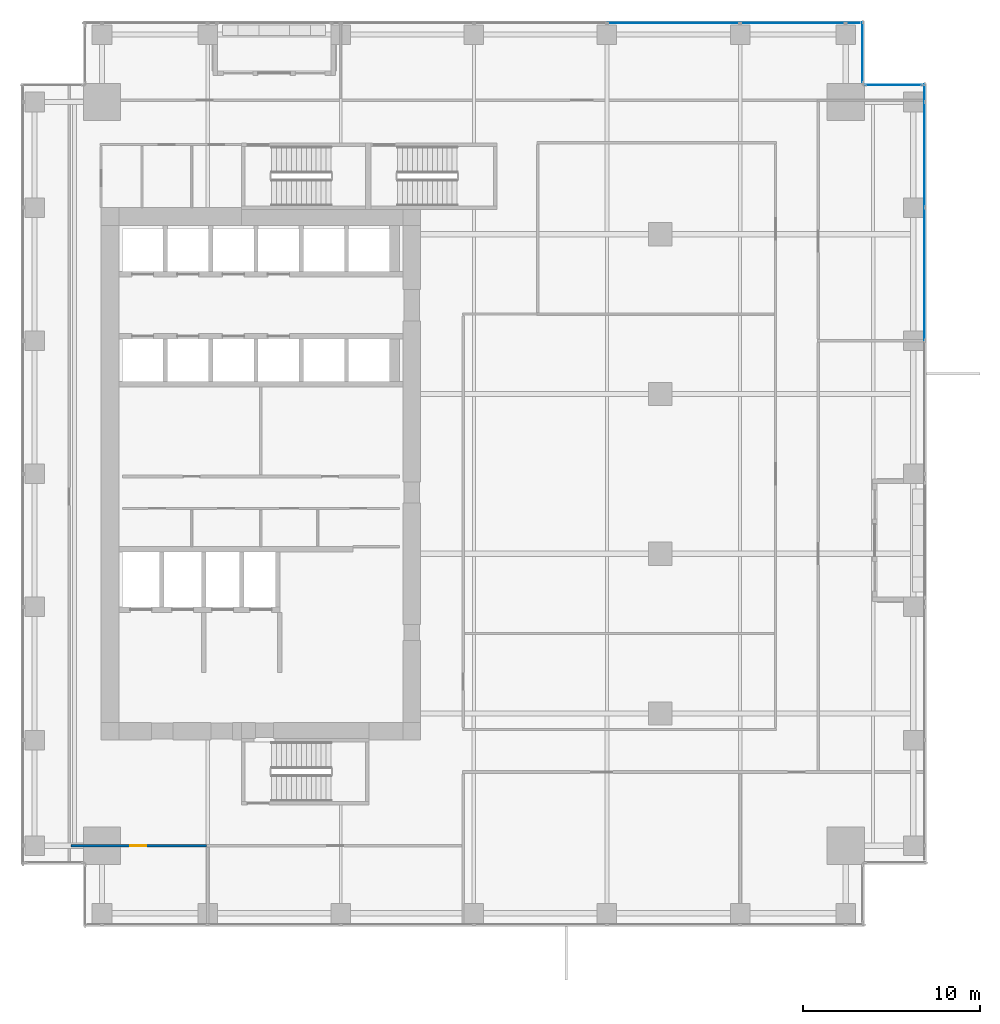
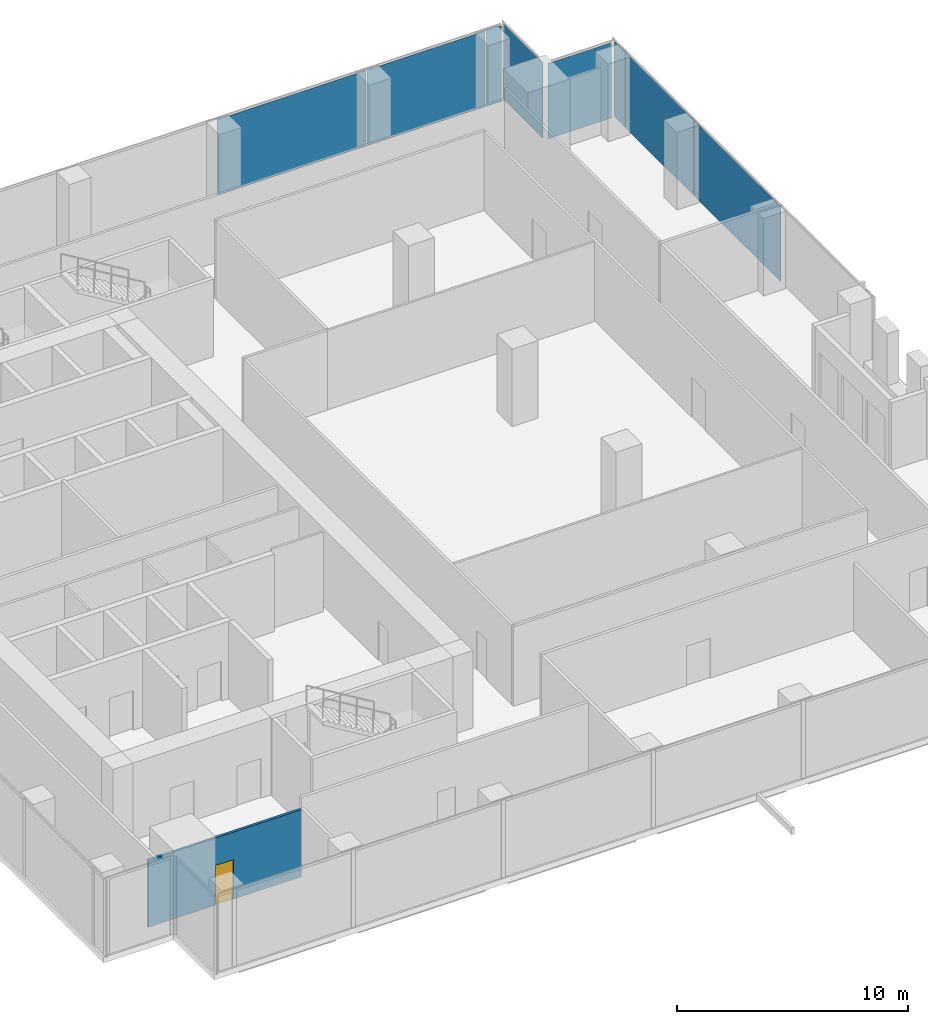
# One storey, part 27 of 34: 8 plates, 1 door, 1 wall, 1 opening, 4 elements without a shape of their own.
"""IFC4 building model written with IfcOpenShell, lengths in metres."""

import ifcopenshell
import ifcopenshell.guid

model = None  # the IFC model being written
_history = None  # IfcOwnerHistory: only IFC2X3 demands one
_inside = {}  # id of a spatial element -> (the spatial element, [elements in it])
_under = {}  # id of a project, library or spatial element -> (it, [spatial elements below it])
_declared = {}  # id of a project -> (the project, [libraries it declares])
_typed = {}  # id of a type object -> (the type object, [elements of that type])
_made_of = {}  # id of a material, layer set ... -> (it, [elements and type objects made of it])


def new_model(schema):
    """Start an empty IFC model of exactly this schema.

    Asked for "IFC4X3", IfcOpenShell would pick the latest addendum, in which some entities
    have other attributes; the version numbers below select the first issue.
    IFC2X3 requires an IfcOwnerHistory on every rooted entity: one is made here for all.
    """
    global model, _history
    if schema == "IFC4X3":
        model = ifcopenshell.file(schema_version=(4, 3, 0, 0))
    else:
        model = ifcopenshell.file(schema=schema)
    _inside.clear()
    _under.clear()
    _declared.clear()
    _typed.clear()
    _made_of.clear()
    _history = None
    if model.schema == "IFC2X3":
        org = make("IfcOrganization", Name="unknown")
        user = make(
            "IfcPersonAndOrganization",
            ThePerson=make("IfcPerson", FamilyName="unknown"),
            TheOrganization=org,
        )
        app = make(
            "IfcApplication",
            ApplicationDeveloper=org,
            Version="unknown",
            ApplicationFullName="unknown",
            ApplicationIdentifier="unknown",
        )
        _history = make(
            "IfcOwnerHistory",
            OwningUser=user,
            OwningApplication=app,
            ChangeAction="ADDED",
            CreationDate=0,
        )
    return model


def make(cls, **values):
    """One entity of the class cls with the attributes given. An attribute that is None is left unset."""
    return model.create_entity(
        cls, **{name: value for name, value in values.items() if value is not None}
    )


def rooted(cls, **values):
    """An entity with a GlobalId (a new one), such as an element, a storey or a relation."""
    return make(cls, GlobalId=ifcopenshell.guid.new(), OwnerHistory=_history, **values)


def si_unit(unit_type, name, prefix=None):
    """IfcSIUnit, for example si_unit("LENGTHUNIT", "METRE", prefix="MILLI")."""
    return make("IfcSIUnit", UnitType=unit_type, Prefix=prefix, Name=name)


def assignment(units):
    """IfcUnitAssignment: the units of a project."""
    return None if units is None else make("IfcUnitAssignment", Units=units)


def point(xyz):
    """IfcCartesianPoint."""
    return None if xyz is None else make("IfcCartesianPoint", Coordinates=xyz)


def direction(xyz):
    """IfcDirection."""
    return None if xyz is None else make("IfcDirection", DirectionRatios=xyz)


def frame(location, z_axis=None, x_axis=None):
    """IfcAxis2Placement3D, a coordinate frame: its origin and axes. An axis left out is left unset."""
    return make(
        "IfcAxis2Placement3D",
        Location=point(location),
        Axis=direction(z_axis),
        RefDirection=direction(x_axis),
    )


def frame_2d(location, x_axis=None):
    """IfcAxis2Placement2D, a coordinate frame in the plane: its origin and x axis."""
    return make(
        "IfcAxis2Placement2D", Location=point(location), RefDirection=direction(x_axis)
    )


def origin():
    """The frame at (0, 0, 0) with its axes left unset."""
    return frame((0.0, 0.0, 0.0))


def origin_2d():
    """The frame at (0, 0) in the plane with its x axis left unset."""
    return frame_2d((0.0, 0.0))


def place(relative_to, where):
    """IfcLocalPlacement: puts the frame where relative to a parent placement (None: the world)."""
    return make(
        "IfcLocalPlacement", PlacementRelTo=relative_to, RelativePlacement=where
    )


def context(
    kind, dimensions, precision=None, world=None, true_north=None, identifier=None
):
    """IfcGeometricRepresentationContext, for example the 3D "Model" context."""
    return make(
        "IfcGeometricRepresentationContext",
        ContextIdentifier=identifier,
        ContextType=kind,
        CoordinateSpaceDimension=dimensions,
        Precision=precision,
        WorldCoordinateSystem=world,
        TrueNorth=true_north,
    )


def subcontext(parent, identifier, kind, view, scale=None):
    """IfcGeometricRepresentationSubContext, for example "Body" below "Model"."""
    return make(
        "IfcGeometricRepresentationSubContext",
        ContextIdentifier=identifier,
        ContextType=kind,
        ParentContext=parent,
        TargetScale=scale,
        TargetView=view,
    )


def project(units=None, contexts=None):
    """IfcProject with its units and contexts."""
    return rooted(
        "IfcProject",
        Name="project",
        RepresentationContexts=contexts,
        UnitsInContext=assignment(units),
    )


def spatial(cls, under=None, at=None, **own):
    """A site, building, storey or space (cls), placed at a placement, below another one or the project."""
    s = rooted(cls, ObjectPlacement=at, **own)
    if under is not None:
        _under.setdefault(under.id(), (under, []))[1].append(s)
    return s


def profile(cls, at=None, kind="AREA", **sizes):
    """A parametric profile (cls). Its sizes go by their IFC names, for example OverallWidth=200.0."""
    return make(cls, ProfileType=kind, Position=at, **sizes)


def rectangle(**sizes):
    """IfcRectangleProfileDef."""
    return profile("IfcRectangleProfileDef", **sizes)


def extrude(swept, where, along, depth):
    """IfcExtrudedAreaSolid: the profile swept, set in the frame where, extruded along a direction by depth."""
    return make(
        "IfcExtrudedAreaSolid",
        SweptArea=swept,
        Position=where,
        ExtrudedDirection=direction(along),
        Depth=depth,
    )


def shape(context_of_items, identifier, shape_type, items):
    """IfcShapeRepresentation: the items that make up one representation, for example the "Body"."""
    return make(
        "IfcShapeRepresentation",
        ContextOfItems=context_of_items,
        RepresentationIdentifier=identifier,
        RepresentationType=shape_type,
        Items=items,
    )


def source(mapping_origin, context_of_items, identifier, shape_type, items):
    """IfcRepresentationMap: a shape defined once, which mapped items show again and again."""
    return make(
        "IfcRepresentationMap",
        MappingOrigin=mapping_origin,
        MappedRepresentation=shape(context_of_items, identifier, shape_type, items),
    )


def transform(
    local_origin,
    x_axis=None,
    y_axis=None,
    z_axis=None,
    scale=None,
    scale2=None,
    scale3=None,
    uniform=True,
):
    """IfcCartesianTransformationOperator3D, or its non-uniform kind. x_axis, y_axis, z_axis: its Axis1, 2, 3."""
    if uniform:
        return make(
            "IfcCartesianTransformationOperator3D",
            Axis1=direction(x_axis),
            Axis2=direction(y_axis),
            LocalOrigin=point(local_origin),
            Scale=scale,
            Axis3=direction(z_axis),
        )
    return make(
        "IfcCartesianTransformationOperator3DnonUniform",
        Axis1=direction(x_axis),
        Axis2=direction(y_axis),
        LocalOrigin=point(local_origin),
        Scale=scale,
        Axis3=direction(z_axis),
        Scale2=scale2,
        Scale3=scale3,
    )


def mapped(mapping_source, mapping_target):
    """IfcMappedItem: shows the shape of a source again, moved by a transform."""
    return make(
        "IfcMappedItem", MappingSource=mapping_source, MappingTarget=mapping_target
    )


def material(Name=None, Category=None):
    """IfcMaterial."""
    return make("IfcMaterial", Name=Name, Category=Category)


def layer(
    of_material, thickness, ventilated=None, Name=None, Category=None, Priority=None
):
    """IfcMaterialLayer: one layer of a wall or slab, of a material (None: an air gap)."""
    return make(
        "IfcMaterialLayer",
        Material=of_material,
        LayerThickness=thickness,
        IsVentilated=ventilated,
        Name=Name,
        Category=Category,
        Priority=Priority,
    )


def layer_set(layers, Name=None):
    """IfcMaterialLayerSet."""
    return make("IfcMaterialLayerSet", MaterialLayers=layers, LayerSetName=Name)


def made_of(thing, what):
    """Note that an element or type object is made of a material, layer set ...; save() writes the relation."""
    if what is not None:
        _made_of.setdefault(what.id(), (what, []))[1].append(thing)
    return thing


def type_object(cls, material=None, **own):
    """A type object (cls), such as IfcWallType, which elements share."""
    return made_of(rooted(cls, **own), material)


def element(
    cls,
    number,
    at=None,
    inside=None,
    cuts=None,
    type_object=None,
    material=None,
    context=None,
    identifier="Body",
    shape_type=None,
    held_by="IfcProductDefinitionShape",
    body=None,
    shapes=None,
    **own,
):
    """One element of the class cls, such as IfcWall. Its Tag is "e" and its number.

    at: its placement. inside: the storey or other place that contains it. cuts: it is an
    opening in that element (IfcRelVoidsElement). A single representation is given by context,
    identifier, shape_type and body (its items); several are given by shapes. held_by: the class
    of the entity that holds the representations. save() writes the other relations.
    """
    e = rooted(cls, Tag="e%d" % number, ObjectPlacement=at, **own)
    if body is not None:
        shapes = [shape(context, identifier, shape_type, body)]
    if shapes is not None:
        e.Representation = make(held_by, Representations=shapes)
    if inside is not None:
        _inside.setdefault(inside.id(), (inside, []))[1].append(e)
    if cuts is not None:
        rooted(
            "IfcRelVoidsElement", RelatingBuildingElement=cuts, RelatedOpeningElement=e
        )
    if type_object is not None:
        _typed.setdefault(type_object.id(), (type_object, []))[1].append(e)
    return made_of(e, material)


def fill(opening, filler):
    """IfcRelFillsElement: the door or window that sits in an opening."""
    return rooted(
        "IfcRelFillsElement",
        RelatingOpeningElement=opening,
        RelatedBuildingElement=filler,
    )


def aggregate(whole, parts):
    """IfcRelAggregates: a whole, such as a stair, and the parts it consists of."""
    return rooted("IfcRelAggregates", RelatingObject=whole, RelatedObjects=parts)


def save(model, path):
    """Write the relations noted so far, then the file.

    IfcRelAggregates (storeys below a building ...), IfcRelContainedInSpatialStructure (elements
    in a storey), IfcRelDefinesByType, IfcRelAssociatesMaterial and IfcRelDeclares: one each for
    every whole, place, type object, material and project.
    """
    for whole, parts in _under.values():
        aggregate(whole, parts)
    for where, things in _inside.values():
        rooted(
            "IfcRelContainedInSpatialStructure",
            RelatedElements=things,
            RelatingStructure=where,
        )
    for kind, things in _typed.values():
        rooted("IfcRelDefinesByType", RelatedObjects=things, RelatingType=kind)
    for what, things in _made_of.values():
        rooted("IfcRelAssociatesMaterial", RelatedObjects=things, RelatingMaterial=what)
    for by, libraries in _declared.values():
        rooted("IfcRelDeclares", RelatingContext=by, RelatedDefinitions=libraries)
    model.write(path)


model = new_model("IFC4")

# Units and contexts
model_context = context("Model", 3, precision=1e-05, world=origin(), true_north=direction((0.0, 1.0)))
body_context = subcontext(model_context, "Body", "Model", "MODEL_VIEW")
ifc_project = project(units=[si_unit("LENGTHUNIT", "METRE"), si_unit("AREAUNIT", "SQUARE_METRE"), si_unit("VOLUMEUNIT", "CUBIC_METRE"), si_unit("PLANEANGLEUNIT", "RADIAN"), si_unit("MASSUNIT", "GRAM", prefix="KILO")], contexts=[model_context])

# Site, building, storey
site_placement = place(None, origin())
site = spatial("IfcSite", under=ifc_project, at=site_placement, CompositionType="ELEMENT")
building_placement = place(site_placement, origin())
building = spatial("IfcBuilding", under=site, at=building_placement, Name="Khomas Fold Tower", CompositionType="ELEMENT")
storey_placement = place(building_placement, frame((0.0, 0.0, 145.5)))
storey = spatial("IfcBuildingStorey", under=building, at=storey_placement, Name="L31", CompositionType="ELEMENT", Elevation=145.5)

# Curtain wall, plate
ifc_material_1 = material(Name="Aluminium framed double glazing", Category="aluminium")
curtain_wall_type = type_object("IfcCurtainWallType", Name="SK-Unitised clear-glass wall, growing floors CW1", PredefinedType="NOTDEFINED", material=ifc_material_1)
curtain_wall_1_placement = place(storey_placement, origin())
curtain_wall_1 = element("IfcCurtainWall", 1, at=curtain_wall_1_placement, inside=storey, type_object=curtain_wall_type, Name="CW1 run L31 06-0", PredefinedType="NOTDEFINED")
ifc_material_2 = material(Name="Clear double glazed unit")
ifc_layer_1 = layer(ifc_material_2, 0.031982421875)
ifc_layer_set_1 = layer_set([ifc_layer_1], Name="Clear double glazed unit")
plate_type = type_object("IfcPlateType", Name="SK-Unitised clear-glass wall, growing floors glass panel CW1-P", PredefinedType="CURTAIN_PANEL", material=ifc_layer_set_1)
shared_shape_1 = source(origin(), body_context, "Body", "SweptSolid", [
    extrude(rectangle(XDim=0.760009765625, YDim=0.031982421875, at=origin_2d()), origin(), (0.0, 0.0, 1.0), 3.97998046875),
])
plate_1_placement = place(storey_placement, frame((48.360107421875, 52.39990234375, 0.0), z_axis=(0.0, 0.0, 1.0), x_axis=(-1.0, 0.0, 0.0)))
plate_1 = element("IfcPlate", 2, at=plate_1_placement, type_object=plate_type, Name="CW1 glass panel 1", PredefinedType="CURTAIN_PANEL", context=body_context, shape_type="MappedRepresentation", body=[
    mapped(shared_shape_1, transform((0.0, 0.0, 0.0))),
])

curtain_wall_2_placement = place(storey_placement, origin())
curtain_wall_2 = element("IfcCurtainWall", 3, at=curtain_wall_2_placement, inside=storey, type_object=curtain_wall_type, Name="CW1 run L31 03-1", PredefinedType="NOTDEFINED")
shared_shape_2 = source(origin(), body_context, "Body", "SweptSolid", [
    extrude(rectangle(XDim=5.889892578125, YDim=0.031982421875, at=origin_2d()), origin(), (0.0, 0.0, 1.0), 3.97998046875),
])
plate_2_placement = place(storey_placement, frame((52.39990234375, 44.97509765625, 0.0), z_axis=(0.0, 0.0, 1.0), x_axis=(0.0, 1.0, 0.0)))
plate_2 = element("IfcPlate", 4, at=plate_2_placement, type_object=plate_type, Name="CW1 glass panel 4", PredefinedType="CURTAIN_PANEL", context=body_context, shape_type="MappedRepresentation", body=[
    mapped(shared_shape_2, transform((0.0, 0.0, 0.0))),
])

# Plate
plate_3_placement = place(storey_placement, frame((44.97509765625, 52.39990234375, 0.0), z_axis=(0.0, 0.0, 1.0), x_axis=(-1.0, 0.0, 0.0)))
plate_3 = element("IfcPlate", 5, at=plate_3_placement, type_object=plate_type, Name="CW1 glass panel 2", PredefinedType="CURTAIN_PANEL", context=body_context, shape_type="MappedRepresentation", body=[
    mapped(shared_shape_2, transform((0.0, 0.0, 0.0))),
])

shared_shape_3 = source(origin(), body_context, "Body", "SweptSolid", [
    extrude(rectangle(XDim=7.43994140625, YDim=0.031982421875, at=origin_2d()), origin(), (0.0, 0.0, 1.0), 3.97998046875),
])
plate_4_placement = place(storey_placement, frame((52.39990234375, 38.25, 0.0), z_axis=(0.0, 0.0, 1.0), x_axis=(0.0, 1.0, 0.0)))
plate_4 = element("IfcPlate", 6, at=plate_4_placement, type_object=plate_type, Name="CW1 glass panel 3", PredefinedType="CURTAIN_PANEL", context=body_context, shape_type="MappedRepresentation", body=[
    mapped(shared_shape_3, transform((0.0, 0.0, 0.0))),
])

plate_5_placement = place(storey_placement, frame((38.25, 52.39990234375, 0.0), z_axis=(0.0, 0.0, 1.0), x_axis=(-1.0, 0.0, 0.0)))
plate_5 = element("IfcPlate", 7, at=plate_5_placement, type_object=plate_type, Name="CW1 glass panel 3", PredefinedType="CURTAIN_PANEL", context=body_context, shape_type="MappedRepresentation", body=[
    mapped(shared_shape_3, transform((0.0, 0.0, 0.0))),
])

aggregate(curtain_wall_1, [plate_1, plate_3, plate_5])

shared_shape_4 = source(origin(), body_context, "Body", "SweptSolid", [
    extrude(rectangle(XDim=0.9599609375, YDim=0.031982421875, at=origin_2d()), origin(), (0.0, 0.0, 1.0), 3.97998046875),
])
plate_6_placement = place(storey_placement, frame((52.39990234375, 48.4599609375, 0.0), z_axis=(0.0, 0.0, 1.0), x_axis=(0.0, 1.0, 0.0)))
plate_6 = element("IfcPlate", 8, at=plate_6_placement, type_object=plate_type, Name="CW1 glass panel 5", PredefinedType="CURTAIN_PANEL", context=body_context, shape_type="MappedRepresentation", body=[
    mapped(shared_shape_4, transform((0.0, 0.0, 0.0))),
])

aggregate(curtain_wall_2, [plate_4, plate_2, plate_6])

# Curtain wall, plate
curtain_wall_3_placement = place(storey_placement, origin())
curtain_wall_3 = element("IfcCurtainWall", 9, at=curtain_wall_3_placement, inside=storey, type_object=curtain_wall_type, Name="CW1 corner return L31 04", PredefinedType="NOTDEFINED")
shared_shape_5 = source(origin(), body_context, "Body", "SweptSolid", [
    extrude(rectangle(XDim=3.179931640625, YDim=0.031982421875, at=origin_2d()), origin(), (0.0, 0.0, 1.0), 3.97998046875),
])
plate_7_placement = place(storey_placement, frame((50.64990234375, 48.89990234375, 0.0), z_axis=(0.0, 0.0, 1.0), x_axis=(-1.0, 0.0, 0.0)))
plate_7 = element("IfcPlate", 10, at=plate_7_placement, type_object=plate_type, Name="CW1 glass panel 1", PredefinedType="CURTAIN_PANEL", context=body_context, shape_type="MappedRepresentation", body=[
    mapped(shared_shape_5, transform((0.0, 0.0, 0.0))),
])
aggregate(curtain_wall_3, [plate_7])

curtain_wall_4_placement = place(storey_placement, origin())
curtain_wall_4 = element("IfcCurtainWall", 11, at=curtain_wall_4_placement, inside=storey, type_object=curtain_wall_type, Name="CW1 corner return L31 05", PredefinedType="NOTDEFINED")
shared_shape_6 = source(origin(), body_context, "Body", "SweptSolid", [
    extrude(rectangle(XDim=3.3798828125, YDim=0.031982421875, at=origin_2d()), origin(), (0.0, 0.0, 1.0), 3.97998046875),
])
plate_8_placement = place(storey_placement, frame((48.89990234375, 50.75, 0.0), z_axis=(0.0, 0.0, 1.0), x_axis=(0.0, 1.0, 0.0)))
plate_8 = element("IfcPlate", 12, at=plate_8_placement, type_object=plate_type, Name="CW1 glass panel 1", PredefinedType="CURTAIN_PANEL", context=body_context, shape_type="MappedRepresentation", body=[
    mapped(shared_shape_6, transform((0.0, 0.0, 0.0))),
])
aggregate(curtain_wall_4, [plate_8])

# Wall, opening, door
ifc_material_3 = material(Name="Plasterboard partition")
ifc_layer_2 = layer(ifc_material_3, 0.125)
ifc_layer_set_2 = layer_set([ifc_layer_2], Name="Plasterboard partition")
wall_type = type_object("IfcWallType", Name="Partition PW2 125", PredefinedType="PARTITIONING", material=ifc_layer_set_2)
shared_shape_7 = source(origin(), body_context, "Body", "SweptSolid", [
    extrude(rectangle(XDim=7.64990234375, YDim=0.125, at=frame_2d((3.824951171875, 0.0))), origin(), (0.0, 0.0, 1.0), 3.550048828125),
])
wall_placement = place(storey_placement, frame((4.300048828125, 6.050048828125, 0.0), z_axis=(0.0, 0.0, 1.0), x_axis=(1.0, 0.0, 0.0)))
wall = element("IfcWall", 13, at=wall_placement, inside=storey, type_object=wall_type, Name="Partition", PredefinedType="PARTITIONING", context=body_context, shape_type="MappedRepresentation", body=[
    mapped(shared_shape_7, transform((0.0, 0.0, 0.0))),
])
shared_shape_8 = source(origin(), body_context, "Body", "SweptSolid", [
    extrude(rectangle(XDim=0.89990234375, YDim=2.10009765625, at=frame_2d((0.449951171875, 1.050048828125))), frame((0.0, 0.072509765625, 0.0), z_axis=(0.0, -1.0, 0.0), x_axis=(1.0, 0.0, 0.0)), (0.0, 0.0, 1.0), 0.14501953125),
])
opening_placement = place(wall_placement, frame((3.35009765625, 0.0, 0.0)))
opening = element("IfcOpeningElement", 14, at=opening_placement, cuts=wall, Name="Opening 0007", PredefinedType="OPENING", context=body_context, shape_type="MappedRepresentation", body=[
    mapped(shared_shape_8, transform((0.0, 0.0, 0.0))),
])
ifc_material_4 = material(Name="Timber door leaf", Category="wood")
door_type = type_object("IfcDoorType", Name="Door 900x2100 left-hand", OperationType="SINGLE_SWING_LEFT", PredefinedType="DOOR", material=ifc_material_4)
shared_shape_9 = source(origin(), body_context, "Body", "SweptSolid", [
    extrude(rectangle(XDim=0.89990234375, YDim=2.10009765625, at=frame_2d((0.449951171875, 1.050048828125))), frame((0.0, 0.02490234375, 0.0), z_axis=(0.0, -1.0, 0.0), x_axis=(1.0, 0.0, 0.0)), (0.0, 0.0, 1.0), 0.050048828125),
])
door_placement = place(opening_placement, origin())
door = element("IfcDoor", 15, at=door_placement, inside=storey, type_object=door_type, Name="Door", OperationType="SINGLE_SWING_LEFT", OverallHeight=2.10009765625, OverallWidth=0.89990234375, PredefinedType="DOOR", context=body_context, shape_type="MappedRepresentation", body=[
    mapped(shared_shape_9, transform((0.0, 0.0, 0.0))),
])
fill(opening, door)

save(model, "model.ifc")
